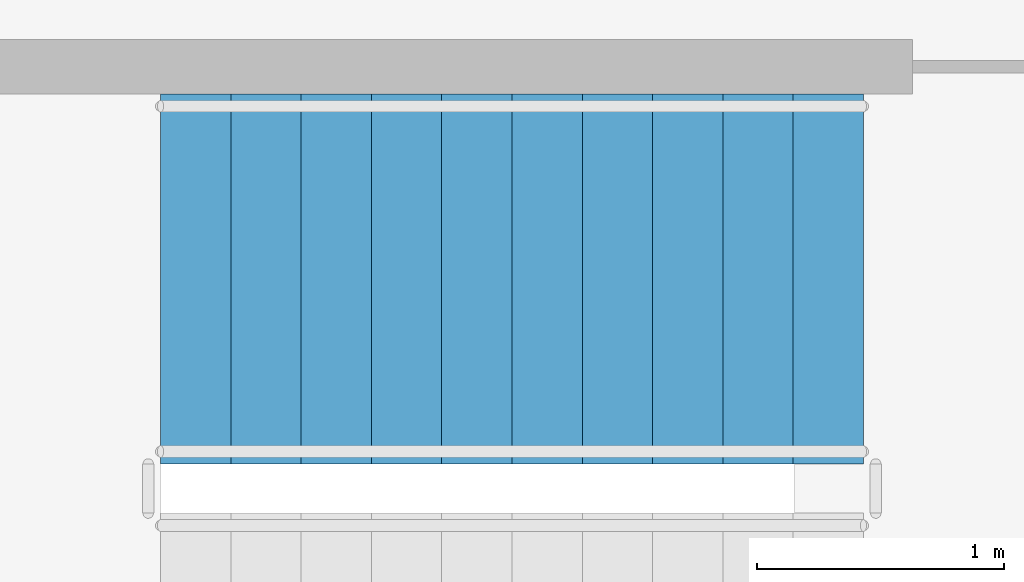
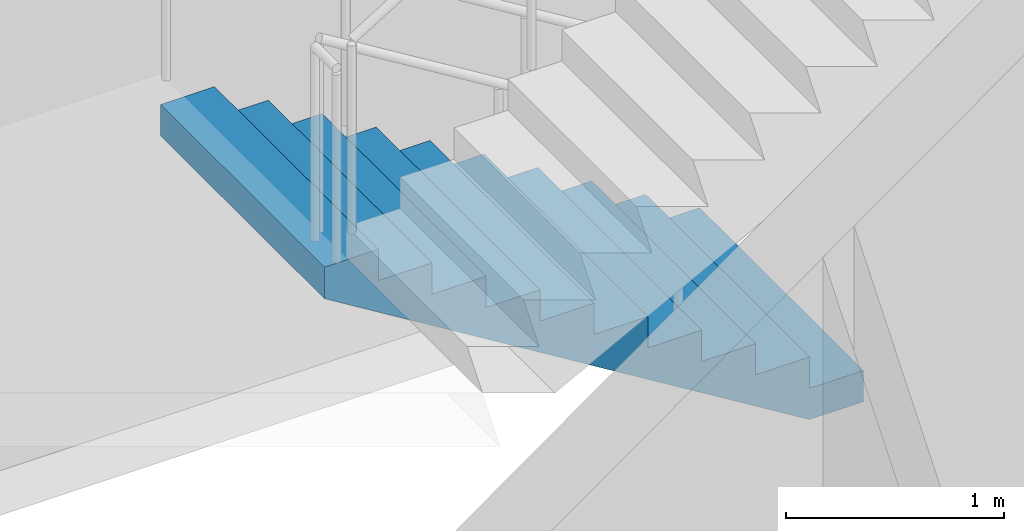
# One storey, part 10 of 12: 1 stair flight, 1 element without a shape of its own.
"""IFC4 building model written with IfcOpenShell, lengths in metres."""

from ifc_helpers import new_model, si_unit, direction, frame, origin, place, context, subcontext, project, spatial, polyline, outline, extrude, material, type_object, element, aggregate, save


model = new_model("IFC4")

# Units and contexts
model_context = context("Model", 3, precision=1e-05, world=origin(), true_north=direction((0.0, 1.0)))
body_context = subcontext(model_context, "Body", "Model", "MODEL_VIEW")
ifc_project = project(units=[si_unit("LENGTHUNIT", "METRE"), si_unit("AREAUNIT", "SQUARE_METRE"), si_unit("VOLUMEUNIT", "CUBIC_METRE"), si_unit("PLANEANGLEUNIT", "RADIAN"), si_unit("MASSUNIT", "GRAM", prefix="KILO")], contexts=[model_context])

# Site, building, storey
site_placement = place(None, origin())
site = spatial("IfcSite", under=ifc_project, at=site_placement, CompositionType="ELEMENT")
building_placement = place(site_placement, origin())
building = spatial("IfcBuilding", under=site, at=building_placement, Name="Kavelnor Concourse Tower", CompositionType="ELEMENT")
storey_placement = place(building_placement, frame((0.0, 0.0, 203.5)))
storey = spatial("IfcBuildingStorey", under=building, at=storey_placement, Name="L51", CompositionType="ELEMENT", Elevation=203.5)

# Stair, stair flight
ifc_material = material(Name="Concrete C40/50", Category="concrete")
stair_type = type_object("IfcStairType", Name="STR-CORE-1500", PredefinedType="HALF_TURN_STAIR", material=ifc_material)
stair_placement = place(storey_placement, origin())
stair = element("IfcStair", 1, at=stair_placement, inside=storey, type_object=stair_type, Name="L51 ST3", PredefinedType="HALF_TURN_STAIR")
stair_flight_type = type_object("IfcStairFlightType", Name="STR-FLIGHT-1500", PredefinedType="STRAIGHT", material=ifc_material)
stair_flight_placement = place(storey_placement, frame((38.0400390625, 19.010009765625, 0.0), z_axis=(0.0, 0.0, 1.0), x_axis=(-1.0, 0.0, 0.0)))
stair_flight = element("IfcStairFlight", 2, at=stair_flight_placement, type_object=stair_flight_type, Name="ST3 flight 1", NumberOfRisers=11, NumberOfTreads=10, PredefinedType="STRAIGHT", RiserHeight=0.175, TreadLength=0.285, context=body_context, shape_type="SweptSolid", body=[
    extrude(outline(polyline([(0.0, 0.0), (0.0, 0.175048828125), (0.284912109375, 0.175048828125), (0.284912109375, 0.35009765625), (0.570068359375, 0.35009765625), (0.570068359375, 0.52490234375), (0.85498046875, 0.52490234375), (0.85498046875, 0.699951171875), (1.139892578125, 0.699951171875), (1.139892578125, 0.875), (1.425048828125, 0.875), (1.425048828125, 1.050048828125), (1.7099609375, 1.050048828125), (1.7099609375, 1.22509765625), (1.9951171875, 1.22509765625), (1.9951171875, 1.39990234375), (2.280029296875, 1.39990234375), (2.280029296875, 1.574951171875), (2.56494140625, 1.574951171875), (2.56494140625, 1.75), (2.85009765625, 1.75), (2.85009765625, 1.925048828125), (2.85009765625, 1.573974609375), (0.286376953125, 0.0), (0.0, 0.0)])), frame((0.0, 0.75, 0.0), z_axis=(0.0, -1.0, 0.0), x_axis=(1.0, 0.0, 0.0)), (0.0, 0.0, 1.0), 1.5),
])
aggregate(stair, [stair_flight])

save(model, "model.ifc")
